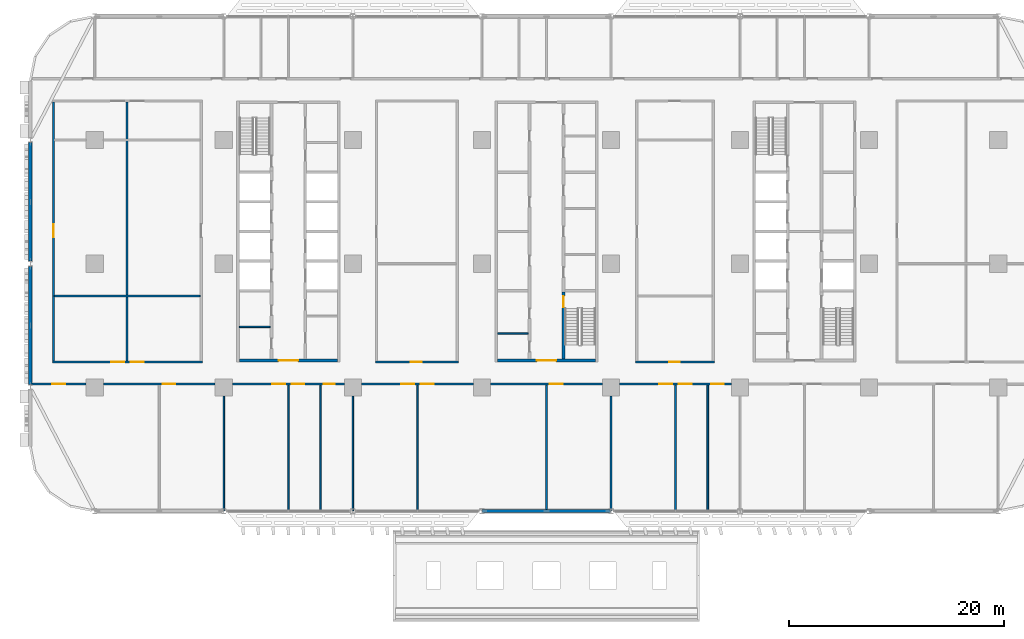
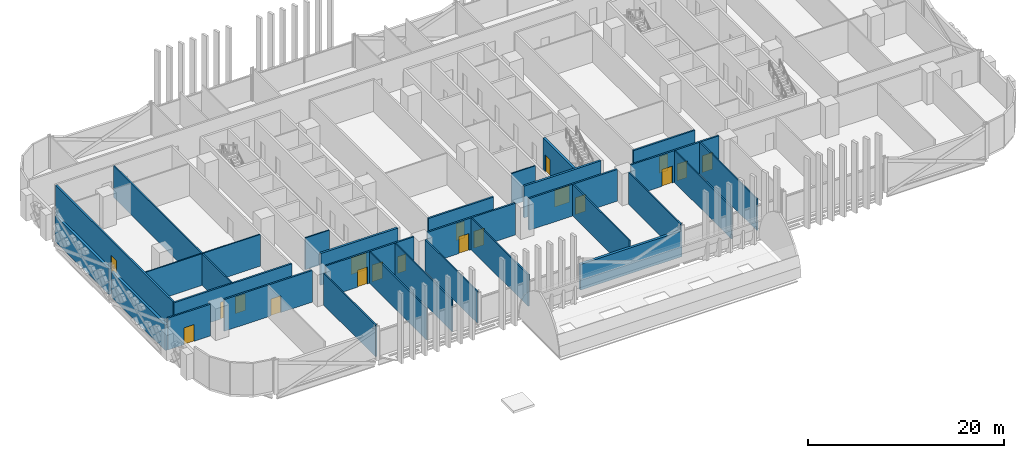
# One storey, part 10 of 31: 29 walls, 19 doors, 19 openings.
"""IFC4 building model written with IfcOpenShell, lengths in metres."""

from ifc_helpers import new_model, si_unit, direction, frame, frame_2d, origin, place, context, subcontext, project, spatial, rectangle, extrude, material, layer, layer_set, type_object, element, fill, save


model = new_model("IFC4")

# Units and contexts
model_context = context("Model", 3, precision=1e-05, world=origin(), true_north=direction((0.0, 1.0)))
body_context = subcontext(model_context, "Body", "Model", "MODEL_VIEW")
ifc_project = project(units=[si_unit("LENGTHUNIT", "METRE"), si_unit("AREAUNIT", "SQUARE_METRE"), si_unit("VOLUMEUNIT", "CUBIC_METRE"), si_unit("PLANEANGLEUNIT", "RADIAN"), si_unit("MASSUNIT", "GRAM", prefix="KILO")], contexts=[model_context])

# Site, building, storey
site_placement = place(None, origin())
site = spatial("IfcSite", under=ifc_project, at=site_placement, CompositionType="ELEMENT")
building_placement = place(site_placement, origin())
building = spatial("IfcBuilding", under=site, at=building_placement, Name="Mahtab Terrace Research Tower", CompositionType="ELEMENT")
storey_placement = place(building_placement, frame((0.0, 0.0, 11.5)))
storey = spatial("IfcBuildingStorey", under=building, at=storey_placement, Name="L02", CompositionType="ELEMENT", Elevation=11.5)

# Walls
ifc_material_1 = material(Name="Gypsum board partition")
ifc_layer_1 = layer(ifc_material_1, 0.14990234375)
ifc_layer_set_1 = layer_set([ifc_layer_1], Name="Core partition 150")
wall_type_1 = type_object("IfcWallType", Name="Core partition 150", PredefinedType="PARTITIONING", material=ifc_layer_set_1)
for number, where, z_axis, x_axis, name in (
    (1, (-28.550048828125, -5.875, 0.0), (0.0, 0.0, 1.0), (1.0, 0.0, 0.0), "Core wall A pWS-888"),
    (2, (-4.550048828125, -6.47509765625, 0.0), (0.0, 0.0, 1.0), (1.0, 0.0, 0.0), "Core wall B pWS-948"),
):
    element("IfcWall", number, at=place(storey_placement, frame(where, z_axis=z_axis, x_axis=x_axis)), inside=storey, type_object=wall_type_1, Name=name, PredefinedType="PARTITIONING", context=body_context, shape_type="SweptSolid", body=[
        extrude(rectangle(XDim=2.85009765625, YDim=0.14990234375, at=frame_2d((1.425048828125, 0.0))), origin(), (0.0, 0.0, 1.0), 3.9599609375),
    ])

# Wall, opening, door
ifc_material_2 = material(Name="Concrete C70/85", Category="concrete")
ifc_layer_2 = layer(ifc_material_2, 0.25)
ifc_layer_set_2 = layer_set([ifc_layer_2], Name="Core wall 250")
wall_type_2 = type_object("IfcWallType", Name="Core wall 250", PredefinedType="SOLIDWALL", material=ifc_layer_set_2)
wall_1_placement = place(storey_placement, frame((-19.449951171875, -9.0, 0.0), z_axis=(0.0, 0.0, 1.0), x_axis=(-1.0, 0.0, 0.0)))
wall_1 = element("IfcWall", 3, at=wall_1_placement, inside=storey, type_object=wall_type_2, Name="Core wall A endS", PredefinedType="SOLIDWALL", context=body_context, shape_type="SweptSolid", body=[
    extrude(rectangle(XDim=9.10009765625, YDim=0.25, at=frame_2d((4.550048828125, 0.0))), origin(), (0.0, 0.0, 1.0), 3.9599609375),
])
opening_1_placement = place(wall_1_placement, frame((3.64990234375, 0.0, 0.0)))
opening_1 = element("IfcOpeningElement", 4, at=opening_1_placement, cuts=wall_1, Name="Opening A-S1", PredefinedType="OPENING", context=body_context, shape_type="SweptSolid", body=[
    extrude(rectangle(XDim=1.800048828125, YDim=2.10009765625, at=frame_2d((0.89990234375, 1.050048828125))), frame((0.0, 0.135009765625, 0.0), z_axis=(0.0, -1.0, 0.0), x_axis=(1.0, 0.0, 0.0)), (0.0, 0.0, 1.0), 0.27001953125),
])
ifc_material_3 = material(Name="Steel fire door", Category="steel")
door_type_1 = type_object("IfcDoorType", Name="Lobby double door 1800x2100 1 HR", OperationType="DOUBLE_DOOR_SINGLE_SWING", PredefinedType="DOOR", material=ifc_material_3)
door_1_placement = place(opening_1_placement, origin())
door_1 = element("IfcDoor", 5, at=door_1_placement, inside=storey, type_object=door_type_1, Name="Core entrance door A S", OperationType="DOUBLE_DOOR_SINGLE_SWING", OverallHeight=2.10009765625, OverallWidth=1.800048828125, PredefinedType="DOOR", context=body_context, shape_type="SweptSolid", body=[
    extrude(rectangle(XDim=1.800048828125, YDim=2.10009765625, at=frame_2d((0.89990234375, 1.050048828125))), frame((0.0, 0.02490234375, 0.0), z_axis=(0.0, -1.0, 0.0), x_axis=(1.0, 0.0, 0.0)), (0.0, 0.0, 1.0), 0.050048828125),
])
fill(opening_1, door_1)

wall_2_placement = place(storey_placement, frame((4.550048828125, -9.0, 0.0), z_axis=(0.0, 0.0, 1.0), x_axis=(-1.0, 0.0, 0.0)))
wall_2 = element("IfcWall", 6, at=wall_2_placement, inside=storey, type_object=wall_type_2, Name="Core wall B endS", PredefinedType="SOLIDWALL", context=body_context, shape_type="SweptSolid", body=[
    extrude(rectangle(XDim=9.10009765625, YDim=0.25, at=frame_2d((4.550048828125, 0.0))), origin(), (0.0, 0.0, 1.0), 3.9599609375),
])
opening_2_placement = place(wall_2_placement, frame((3.64990234375, 0.0, 0.0)))
opening_2 = element("IfcOpeningElement", 7, at=opening_2_placement, cuts=wall_2, Name="Opening B-S1", PredefinedType="OPENING", context=body_context, shape_type="SweptSolid", body=[
    extrude(rectangle(XDim=1.800048828125, YDim=2.10009765625, at=frame_2d((0.89990234375, 1.050048828125))), frame((0.0, 0.135009765625, 0.0), z_axis=(0.0, -1.0, 0.0), x_axis=(1.0, 0.0, 0.0)), (0.0, 0.0, 1.0), 0.27001953125),
])
door_2_placement = place(opening_2_placement, origin())
door_2 = element("IfcDoor", 8, at=door_2_placement, inside=storey, type_object=door_type_1, Name="Core entrance door B S", OperationType="DOUBLE_DOOR_SINGLE_SWING", OverallHeight=2.10009765625, OverallWidth=1.800048828125, PredefinedType="DOOR", context=body_context, shape_type="SweptSolid", body=[
    extrude(rectangle(XDim=1.800048828125, YDim=2.10009765625, at=frame_2d((0.89990234375, 1.050048828125))), frame((0.0, 0.02490234375, 0.0), z_axis=(0.0, -1.0, 0.0), x_axis=(1.0, 0.0, 0.0)), (0.0, 0.0, 1.0), 0.050048828125),
])
fill(opening_2, door_2)

wall_3_placement = place(storey_placement, frame((1.574951171875, -8.875, 0.0), z_axis=(0.0, 0.0, 1.0), x_axis=(0.0, 1.0, 0.0)))
wall_3 = element("IfcWall", 9, at=wall_3_placement, inside=storey, type_object=wall_type_2, Name="Core wall B innerES", PredefinedType="SOLIDWALL", context=body_context, shape_type="SweptSolid", body=[
    extrude(rectangle(XDim=6.25, YDim=0.25, at=frame_2d((3.125, 0.0))), origin(), (0.0, 0.0, 1.0), 3.9599609375),
])
opening_3_placement = place(wall_3_placement, frame((4.85009765625, 0.0, 0.0)))
opening_3 = element("IfcOpeningElement", 10, at=opening_3_placement, cuts=wall_3, Name="Opening B-ST2", PredefinedType="OPENING", context=body_context, shape_type="SweptSolid", body=[
    extrude(rectangle(XDim=1.0, YDim=2.10009765625, at=frame_2d((0.5, 1.050048828125))), frame((0.0, 0.135009765625, 0.0), z_axis=(0.0, -1.0, 0.0), x_axis=(1.0, 0.0, 0.0)), (0.0, 0.0, 1.0), 0.27001953125),
])
door_type_2 = type_object("IfcDoorType", Name="Stair door 1000x2100 1.5 HR", OperationType="NOTDEFINED", PredefinedType="DOOR", material=ifc_material_3)
door_3_placement = place(opening_3_placement, origin())
door_3 = element("IfcDoor", 11, at=door_3_placement, inside=storey, type_object=door_type_2, Name="Stair door ST2 L02", OperationType="SINGLE_SWING_LEFT", OverallHeight=2.10009765625, OverallWidth=1.0, PredefinedType="DOOR", context=body_context, shape_type="SweptSolid", body=[
    extrude(rectangle(XDim=1.0, YDim=2.10009765625, at=frame_2d((0.5, 1.050048828125))), frame((0.0, 0.02490234375, 0.0), z_axis=(0.0, -1.0, 0.0), x_axis=(1.0, 0.0, 0.0)), (0.0, 0.0, 1.0), 0.050048828125),
])
fill(opening_3, door_3)

# Walls
ifc_material_4 = material(Name="Black aluminium cladding panel", Category="aluminium")
ifc_layer_3 = layer(ifc_material_4, 0.300048828125)
ifc_layer_set_3 = layer_set([ifc_layer_3], Name="Opaque facade wall 300")
wall_type_3 = type_object("IfcWallType", Name="Opaque facade wall 300", PredefinedType="NOTDEFINED", material=ifc_layer_set_3)
for number, where, z_axis, x_axis, name in (
    (12, (-48.0, 11.2509765625, 0.0), (0.0, 0.0, 1.0), (0.0, -1.0, 0.0), "Opaque facade wall L02 W15"),
    (13, (-48.0, -0.2490234375, 0.0), (0.0, 0.0, 1.0), (0.0, -1.0, 0.0), "Opaque facade wall L02 W16"),
):
    element("IfcWall", number, at=place(storey_placement, frame(where, z_axis=z_axis, x_axis=x_axis)), inside=storey, type_object=wall_type_3, Name=name, PredefinedType="NOTDEFINED", context=body_context, shape_type="SweptSolid", body=[
        extrude(rectangle(XDim=11.001953125, YDim=0.300048828125, at=frame_2d((5.5009765625, 0.0))), origin(), (0.0, 0.0, 1.0), 3.203125),
    ])
wall_4_placement = place(storey_placement, frame((-5.97216796875, -23.0, 0.0), z_axis=(0.0, 0.0, 1.0), x_axis=(1.0, 0.0, 0.0)))
element("IfcWall", 14, at=wall_4_placement, inside=storey, type_object=wall_type_3, Name="Opaque facade wall L02 S25", PredefinedType="NOTDEFINED", context=body_context, shape_type="SweptSolid", body=[
    extrude(rectangle(XDim=11.9443359375, YDim=0.300048828125, at=frame_2d((5.97216796875, 0.0))), origin(), (0.0, 0.0, 1.0), 3.203125),
])

# Wall, opening, door
ifc_material_5 = material(Name="Gypsum board corridor wall on steel studs", Category="steel")
ifc_layer_4 = layer(ifc_material_5, 0.199951171875)
ifc_layer_set_4 = layer_set([ifc_layer_4], Name="WALL CORRIDOR 200")
wall_type_4 = type_object("IfcWallType", Name="WALL CORRIDOR 200", PredefinedType="PARTITIONING", material=ifc_layer_set_4)
wall_5_placement = place(storey_placement, frame((-47.85009765625, -11.199951171875, 0.0), z_axis=(0.0, 0.0, 1.0), x_axis=(1.0, 0.0, 0.0)))
wall_5 = element("IfcWall", 15, at=wall_5_placement, inside=storey, type_object=wall_type_4, Name="L02-W001", PredefinedType="PARTITIONING", context=body_context, shape_type="SweptSolid", body=[
    extrude(rectangle(XDim=5.050048828125, YDim=0.199951171875, at=frame_2d((2.52490234375, 0.0))), origin(), (0.0, 0.0, 1.0), 3.9599609375),
])
opening_4_placement = place(wall_5_placement, frame((1.89990234375, 0.0, 0.0)))
opening_4 = element("IfcOpeningElement", 16, at=opening_4_placement, cuts=wall_5, Name="Opening L02-101", PredefinedType="OPENING", context=body_context, shape_type="SweptSolid", body=[
    extrude(rectangle(XDim=1.199951171875, YDim=2.10009765625, at=frame_2d((0.60009765625, 1.050048828125))), frame((0.0, 0.10986328125, 0.0), z_axis=(0.0, -1.0, 0.0), x_axis=(1.0, 0.0, 0.0)), (0.0, 0.0, 1.0), 0.219970703125),
])
ifc_material_6 = material(Name="Timber door leaf in steel frame", Category="steel")
door_type_3 = type_object("IfcDoorType", Name="DOOR 1200X2100 FD30S", OperationType="SINGLE_SWING_LEFT", PredefinedType="DOOR", material=ifc_material_6)
door_4_placement = place(opening_4_placement, origin())
door_4 = element("IfcDoor", 17, at=door_4_placement, inside=storey, type_object=door_type_3, Name="Door L02-101", OperationType="SINGLE_SWING_RIGHT", OverallHeight=2.10009765625, OverallWidth=1.199951171875, PredefinedType="DOOR", context=body_context, shape_type="SweptSolid", body=[
    extrude(rectangle(XDim=1.199951171875, YDim=2.10009765625, at=frame_2d((0.60009765625, 1.050048828125))), frame((0.0, 0.02490234375, 0.0), z_axis=(0.0, -1.0, 0.0), x_axis=(1.0, 0.0, 0.0)), (0.0, 0.0, 1.0), 0.050048828125),
])
fill(opening_4, door_4)

wall_6_placement = place(storey_placement, frame((-41.199951171875, -11.199951171875, 0.0), z_axis=(0.0, 0.0, 1.0), x_axis=(1.0, 0.0, 0.0)))
wall_6 = element("IfcWall", 18, at=wall_6_placement, inside=storey, type_object=wall_type_4, Name="L02-W002", PredefinedType="PARTITIONING", context=body_context, shape_type="SweptSolid", body=[
    extrude(rectangle(XDim=10.39990234375, YDim=0.199951171875, at=frame_2d((5.199951171875, 0.0))), origin(), (0.0, 0.0, 1.0), 3.9599609375),
])
opening_5_placement = place(wall_6_placement, frame((5.5, 0.0, 0.0)))
opening_5 = element("IfcOpeningElement", 19, at=opening_5_placement, cuts=wall_6, Name="Opening L02-102", PredefinedType="OPENING", context=body_context, shape_type="SweptSolid", body=[
    extrude(rectangle(XDim=1.199951171875, YDim=2.10009765625, at=frame_2d((0.60009765625, 1.050048828125))), frame((0.0, 0.10986328125, 0.0), z_axis=(0.0, -1.0, 0.0), x_axis=(1.0, 0.0, 0.0)), (0.0, 0.0, 1.0), 0.219970703125),
])
door_5_placement = place(opening_5_placement, origin())
door_5 = element("IfcDoor", 20, at=door_5_placement, inside=storey, type_object=door_type_3, Name="Door L02-102", OperationType="SINGLE_SWING_LEFT", OverallHeight=2.10009765625, OverallWidth=1.199951171875, PredefinedType="DOOR", context=body_context, shape_type="SweptSolid", body=[
    extrude(rectangle(XDim=1.199951171875, YDim=2.10009765625, at=frame_2d((0.60009765625, 1.050048828125))), frame((0.0, 0.02490234375, 0.0), z_axis=(0.0, -1.0, 0.0), x_axis=(1.0, 0.0, 0.0)), (0.0, 0.0, 1.0), 0.050048828125),
])
fill(opening_5, door_5)

# Wall, openings, doors
wall_7_placement = place(storey_placement, frame((-29.199951171875, -11.199951171875, 0.0), z_axis=(0.0, 0.0, 1.0), x_axis=(1.0, 0.0, 0.0)))
wall_7 = element("IfcWall", 21, at=wall_7_placement, inside=storey, type_object=wall_type_4, Name="L02-W003", PredefinedType="PARTITIONING", context=body_context, shape_type="SweptSolid", body=[
    extrude(rectangle(XDim=10.39990234375, YDim=0.199951171875, at=frame_2d((5.199951171875, 0.0))), origin(), (0.0, 0.0, 1.0), 3.9599609375),
])
opening_6_placement = place(wall_7_placement, frame((3.699951171875, 0.0, 0.0)))
opening_6 = element("IfcOpeningElement", 22, at=opening_6_placement, cuts=wall_7, Name="Opening L02-103", PredefinedType="OPENING", context=body_context, shape_type="SweptSolid", body=[
    extrude(rectangle(XDim=1.199951171875, YDim=2.10009765625, at=frame_2d((0.60009765625, 1.050048828125))), frame((0.0, 0.10986328125, 0.0), z_axis=(0.0, -1.0, 0.0), x_axis=(1.0, 0.0, 0.0)), (0.0, 0.0, 1.0), 0.219970703125),
])
opening_7_placement = place(wall_7_placement, frame((5.5, 0.0, 0.0)))
opening_7 = element("IfcOpeningElement", 23, at=opening_7_placement, cuts=wall_7, Name="Opening L02-104", PredefinedType="OPENING", context=body_context, shape_type="SweptSolid", body=[
    extrude(rectangle(XDim=1.199951171875, YDim=2.10009765625, at=frame_2d((0.60009765625, 1.050048828125))), frame((0.0, 0.10986328125, 0.0), z_axis=(0.0, -1.0, 0.0), x_axis=(1.0, 0.0, 0.0)), (0.0, 0.0, 1.0), 0.219970703125),
])
opening_8_placement = place(wall_7_placement, frame((8.5, 0.0, 0.0)))
opening_8 = element("IfcOpeningElement", 24, at=opening_8_placement, cuts=wall_7, Name="Opening L02-105", PredefinedType="OPENING", context=body_context, shape_type="SweptSolid", body=[
    extrude(rectangle(XDim=1.0, YDim=2.10009765625, at=frame_2d((0.5, 1.050048828125))), frame((0.0, 0.10986328125, 0.0), z_axis=(0.0, -1.0, 0.0), x_axis=(1.0, 0.0, 0.0)), (0.0, 0.0, 1.0), 0.219970703125),
])
door_type_4 = type_object("IfcDoorType", Name="DOOR 1000X2100 FD30S", OperationType="SINGLE_SWING_LEFT", PredefinedType="DOOR", material=ifc_material_6)
door_6_placement = place(opening_8_placement, origin())
door_6 = element("IfcDoor", 25, at=door_6_placement, inside=storey, type_object=door_type_4, Name="Door L02-105", OperationType="SINGLE_SWING_LEFT", OverallHeight=2.10009765625, OverallWidth=1.0, PredefinedType="DOOR", context=body_context, shape_type="SweptSolid", body=[
    extrude(rectangle(XDim=1.0, YDim=2.10009765625, at=frame_2d((0.5, 1.050048828125))), frame((0.0, 0.02490234375, 0.0), z_axis=(0.0, -1.0, 0.0), x_axis=(1.0, 0.0, 0.0)), (0.0, 0.0, 1.0), 0.050048828125),
])
fill(opening_8, door_6)
door_7_placement = place(opening_6_placement, origin())
door_7 = element("IfcDoor", 26, at=door_7_placement, inside=storey, type_object=door_type_3, Name="Door L02-103", OperationType="SINGLE_SWING_RIGHT", OverallHeight=2.10009765625, OverallWidth=1.199951171875, PredefinedType="DOOR", context=body_context, shape_type="SweptSolid", body=[
    extrude(rectangle(XDim=1.199951171875, YDim=2.10009765625, at=frame_2d((0.60009765625, 1.050048828125))), frame((0.0, 0.02490234375, 0.0), z_axis=(0.0, -1.0, 0.0), x_axis=(1.0, 0.0, 0.0)), (0.0, 0.0, 1.0), 0.050048828125),
])
fill(opening_6, door_7)
door_8_placement = place(opening_7_placement, origin())
door_8 = element("IfcDoor", 27, at=door_8_placement, inside=storey, type_object=door_type_3, Name="Door L02-104", OperationType="SINGLE_SWING_LEFT", OverallHeight=2.10009765625, OverallWidth=1.199951171875, PredefinedType="DOOR", context=body_context, shape_type="SweptSolid", body=[
    extrude(rectangle(XDim=1.199951171875, YDim=2.10009765625, at=frame_2d((0.60009765625, 1.050048828125))), frame((0.0, 0.02490234375, 0.0), z_axis=(0.0, -1.0, 0.0), x_axis=(1.0, 0.0, 0.0)), (0.0, 0.0, 1.0), 0.050048828125),
])
fill(opening_7, door_8)

wall_8_placement = place(storey_placement, frame((-17.199951171875, -11.199951171875, 0.0), z_axis=(0.0, 0.0, 1.0), x_axis=(1.0, 0.0, 0.0)))
wall_8 = element("IfcWall", 28, at=wall_8_placement, inside=storey, type_object=wall_type_4, Name="L02-W004", PredefinedType="PARTITIONING", context=body_context, shape_type="SweptSolid", body=[
    extrude(rectangle(XDim=10.39990234375, YDim=0.199951171875, at=frame_2d((5.199951171875, 0.0))), origin(), (0.0, 0.0, 1.0), 3.9599609375),
])
opening_9_placement = place(wall_8_placement, frame((3.699951171875, 0.0, 0.0)))
opening_9 = element("IfcOpeningElement", 29, at=opening_9_placement, cuts=wall_8, Name="Opening L02-106", PredefinedType="OPENING", context=body_context, shape_type="SweptSolid", body=[
    extrude(rectangle(XDim=1.199951171875, YDim=2.10009765625, at=frame_2d((0.60009765625, 1.050048828125))), frame((0.0, 0.10986328125, 0.0), z_axis=(0.0, -1.0, 0.0), x_axis=(1.0, 0.0, 0.0)), (0.0, 0.0, 1.0), 0.219970703125),
])
opening_10_placement = place(wall_8_placement, frame((5.5, 0.0, 0.0)))
opening_10 = element("IfcOpeningElement", 30, at=opening_10_placement, cuts=wall_8, Name="Opening L02-107", PredefinedType="OPENING", context=body_context, shape_type="SweptSolid", body=[
    extrude(rectangle(XDim=1.199951171875, YDim=2.10009765625, at=frame_2d((0.60009765625, 1.050048828125))), frame((0.0, 0.10986328125, 0.0), z_axis=(0.0, -1.0, 0.0), x_axis=(1.0, 0.0, 0.0)), (0.0, 0.0, 1.0), 0.219970703125),
])
door_9_placement = place(opening_9_placement, origin())
door_9 = element("IfcDoor", 31, at=door_9_placement, inside=storey, type_object=door_type_3, Name="Door L02-106", OperationType="SINGLE_SWING_RIGHT", OverallHeight=2.10009765625, OverallWidth=1.199951171875, PredefinedType="DOOR", context=body_context, shape_type="SweptSolid", body=[
    extrude(rectangle(XDim=1.199951171875, YDim=2.10009765625, at=frame_2d((0.60009765625, 1.050048828125))), frame((0.0, 0.02490234375, 0.0), z_axis=(0.0, -1.0, 0.0), x_axis=(1.0, 0.0, 0.0)), (0.0, 0.0, 1.0), 0.050048828125),
])
fill(opening_9, door_9)
door_10_placement = place(opening_10_placement, origin())
door_10 = element("IfcDoor", 32, at=door_10_placement, inside=storey, type_object=door_type_3, Name="Door L02-107", OperationType="SINGLE_SWING_LEFT", OverallHeight=2.10009765625, OverallWidth=1.199951171875, PredefinedType="DOOR", context=body_context, shape_type="SweptSolid", body=[
    extrude(rectangle(XDim=1.199951171875, YDim=2.10009765625, at=frame_2d((0.60009765625, 1.050048828125))), frame((0.0, 0.02490234375, 0.0), z_axis=(0.0, -1.0, 0.0), x_axis=(1.0, 0.0, 0.0)), (0.0, 0.0, 1.0), 0.050048828125),
])
fill(opening_10, door_10)

# Wall, opening, door
wall_9_placement = place(storey_placement, frame((-5.199951171875, -11.199951171875, 0.0), z_axis=(0.0, 0.0, 1.0), x_axis=(1.0, 0.0, 0.0)))
wall_9 = element("IfcWall", 33, at=wall_9_placement, inside=storey, type_object=wall_type_4, Name="L02-W005", PredefinedType="PARTITIONING", context=body_context, shape_type="SweptSolid", body=[
    extrude(rectangle(XDim=10.39990234375, YDim=0.199951171875, at=frame_2d((5.199951171875, 0.0))), origin(), (0.0, 0.0, 1.0), 3.9599609375),
])
opening_11_placement = place(wall_9_placement, frame((5.5, 0.0, 0.0)))
opening_11 = element("IfcOpeningElement", 34, at=opening_11_placement, cuts=wall_9, Name="Opening L02-108", PredefinedType="OPENING", context=body_context, shape_type="SweptSolid", body=[
    extrude(rectangle(XDim=1.199951171875, YDim=2.10009765625, at=frame_2d((0.60009765625, 1.050048828125))), frame((0.0, 0.10986328125, 0.0), z_axis=(0.0, -1.0, 0.0), x_axis=(1.0, 0.0, 0.0)), (0.0, 0.0, 1.0), 0.219970703125),
])
door_11_placement = place(opening_11_placement, origin())
door_11 = element("IfcDoor", 35, at=door_11_placement, inside=storey, type_object=door_type_3, Name="Door L02-108", OperationType="SINGLE_SWING_LEFT", OverallHeight=2.10009765625, OverallWidth=1.199951171875, PredefinedType="DOOR", context=body_context, shape_type="SweptSolid", body=[
    extrude(rectangle(XDim=1.199951171875, YDim=2.10009765625, at=frame_2d((0.60009765625, 1.050048828125))), frame((0.0, 0.02490234375, 0.0), z_axis=(0.0, -1.0, 0.0), x_axis=(1.0, 0.0, 0.0)), (0.0, 0.0, 1.0), 0.050048828125),
])
fill(opening_11, door_11)

# Wall, openings, doors
wall_10_placement = place(storey_placement, frame((6.800048828125, -11.199951171875, 0.0), z_axis=(0.0, 0.0, 1.0), x_axis=(1.0, 0.0, 0.0)))
wall_10 = element("IfcWall", 36, at=wall_10_placement, inside=storey, type_object=wall_type_4, Name="L02-W006", PredefinedType="PARTITIONING", context=body_context, shape_type="SweptSolid", body=[
    extrude(rectangle(XDim=10.39990234375, YDim=0.199951171875, at=frame_2d((5.199951171875, 0.0))), origin(), (0.0, 0.0, 1.0), 3.9599609375),
])
opening_12_placement = place(wall_10_placement, frame((3.699951171875, 0.0, 0.0)))
opening_12 = element("IfcOpeningElement", 37, at=opening_12_placement, cuts=wall_10, Name="Opening L02-109", PredefinedType="OPENING", context=body_context, shape_type="SweptSolid", body=[
    extrude(rectangle(XDim=1.199951171875, YDim=2.10009765625, at=frame_2d((0.60009765625, 1.050048828125))), frame((0.0, 0.10986328125, 0.0), z_axis=(0.0, -1.0, 0.0), x_axis=(1.0, 0.0, 0.0)), (0.0, 0.0, 1.0), 0.219970703125),
])
opening_13_placement = place(wall_10_placement, frame((5.5, 0.0, 0.0)))
opening_13 = element("IfcOpeningElement", 38, at=opening_13_placement, cuts=wall_10, Name="Opening L02-110", PredefinedType="OPENING", context=body_context, shape_type="SweptSolid", body=[
    extrude(rectangle(XDim=1.199951171875, YDim=2.10009765625, at=frame_2d((0.60009765625, 1.050048828125))), frame((0.0, 0.10986328125, 0.0), z_axis=(0.0, -1.0, 0.0), x_axis=(1.0, 0.0, 0.0)), (0.0, 0.0, 1.0), 0.219970703125),
])
opening_14_placement = place(wall_10_placement, frame((8.5, 0.0, 0.0)))
opening_14 = element("IfcOpeningElement", 39, at=opening_14_placement, cuts=wall_10, Name="Opening L02-111", PredefinedType="OPENING", context=body_context, shape_type="SweptSolid", body=[
    extrude(rectangle(XDim=1.199951171875, YDim=2.10009765625, at=frame_2d((0.60009765625, 1.050048828125))), frame((0.0, 0.10986328125, 0.0), z_axis=(0.0, -1.0, 0.0), x_axis=(1.0, 0.0, 0.0)), (0.0, 0.0, 1.0), 0.219970703125),
])
door_12_placement = place(opening_12_placement, origin())
door_12 = element("IfcDoor", 40, at=door_12_placement, inside=storey, type_object=door_type_3, Name="Door L02-109", OperationType="SINGLE_SWING_RIGHT", OverallHeight=2.10009765625, OverallWidth=1.199951171875, PredefinedType="DOOR", context=body_context, shape_type="SweptSolid", body=[
    extrude(rectangle(XDim=1.199951171875, YDim=2.10009765625, at=frame_2d((0.60009765625, 1.050048828125))), frame((0.0, 0.02490234375, 0.0), z_axis=(0.0, -1.0, 0.0), x_axis=(1.0, 0.0, 0.0)), (0.0, 0.0, 1.0), 0.050048828125),
])
fill(opening_12, door_12)
door_13_placement = place(opening_13_placement, origin())
door_13 = element("IfcDoor", 41, at=door_13_placement, inside=storey, type_object=door_type_3, Name="Door L02-110", OperationType="SINGLE_SWING_LEFT", OverallHeight=2.10009765625, OverallWidth=1.199951171875, PredefinedType="DOOR", context=body_context, shape_type="SweptSolid", body=[
    extrude(rectangle(XDim=1.199951171875, YDim=2.10009765625, at=frame_2d((0.60009765625, 1.050048828125))), frame((0.0, 0.02490234375, 0.0), z_axis=(0.0, -1.0, 0.0), x_axis=(1.0, 0.0, 0.0)), (0.0, 0.0, 1.0), 0.050048828125),
])
fill(opening_13, door_13)
door_14_placement = place(opening_14_placement, origin())
door_14 = element("IfcDoor", 42, at=door_14_placement, inside=storey, type_object=door_type_3, Name="Door L02-111", OperationType="SINGLE_SWING_LEFT", OverallHeight=2.10009765625, OverallWidth=1.199951171875, PredefinedType="DOOR", context=body_context, shape_type="SweptSolid", body=[
    extrude(rectangle(XDim=1.199951171875, YDim=2.10009765625, at=frame_2d((0.60009765625, 1.050048828125))), frame((0.0, 0.02490234375, 0.0), z_axis=(0.0, -1.0, 0.0), x_axis=(1.0, 0.0, 0.0)), (0.0, 0.0, 1.0), 0.050048828125),
])
fill(opening_14, door_14)

wall_11_placement = place(storey_placement, frame((-45.949951171875, -9.125, 0.0), z_axis=(0.0, 0.0, 1.0), x_axis=(1.0, 0.0, 0.0)))
wall_11 = element("IfcWall", 43, at=wall_11_placement, inside=storey, type_object=wall_type_4, Name="L02-W010", PredefinedType="PARTITIONING", context=body_context, shape_type="SweptSolid", body=[
    extrude(rectangle(XDim=13.949951171875, YDim=0.199951171875, at=frame_2d((6.97509765625, 0.0))), origin(), (0.0, 0.0, 1.0), 3.9599609375),
])
opening_15_placement = place(wall_11_placement, frame((5.5, 0.0, 0.0)))
opening_15 = element("IfcOpeningElement", 44, at=opening_15_placement, cuts=wall_11, Name="Opening L02-116", PredefinedType="OPENING", context=body_context, shape_type="SweptSolid", body=[
    extrude(rectangle(XDim=1.199951171875, YDim=2.10009765625, at=frame_2d((0.60009765625, 1.050048828125))), frame((0.0, 0.10986328125, 0.0), z_axis=(0.0, -1.0, 0.0), x_axis=(1.0, 0.0, 0.0)), (0.0, 0.0, 1.0), 0.219970703125),
])
opening_16_placement = place(wall_11_placement, frame((7.300048828125, 0.0, 0.0)))
opening_16 = element("IfcOpeningElement", 45, at=opening_16_placement, cuts=wall_11, Name="Opening L02-117", PredefinedType="OPENING", context=body_context, shape_type="SweptSolid", body=[
    extrude(rectangle(XDim=1.199951171875, YDim=2.10009765625, at=frame_2d((0.60009765625, 1.050048828125))), frame((0.0, 0.10986328125, 0.0), z_axis=(0.0, -1.0, 0.0), x_axis=(1.0, 0.0, 0.0)), (0.0, 0.0, 1.0), 0.219970703125),
])
door_15_placement = place(opening_15_placement, origin())
door_15 = element("IfcDoor", 46, at=door_15_placement, inside=storey, type_object=door_type_3, Name="Door L02-116", OperationType="SINGLE_SWING_LEFT", OverallHeight=2.10009765625, OverallWidth=1.199951171875, PredefinedType="DOOR", context=body_context, shape_type="SweptSolid", body=[
    extrude(rectangle(XDim=1.199951171875, YDim=2.10009765625, at=frame_2d((0.60009765625, 1.050048828125))), frame((0.0, 0.02490234375, 0.0), z_axis=(0.0, -1.0, 0.0), x_axis=(1.0, 0.0, 0.0)), (0.0, 0.0, 1.0), 0.050048828125),
])
fill(opening_15, door_15)
door_16_placement = place(opening_16_placement, origin())
door_16 = element("IfcDoor", 47, at=door_16_placement, inside=storey, type_object=door_type_3, Name="Door L02-117", OperationType="SINGLE_SWING_RIGHT", OverallHeight=2.10009765625, OverallWidth=1.199951171875, PredefinedType="DOOR", context=body_context, shape_type="SweptSolid", body=[
    extrude(rectangle(XDim=1.199951171875, YDim=2.10009765625, at=frame_2d((0.60009765625, 1.050048828125))), frame((0.0, 0.02490234375, 0.0), z_axis=(0.0, -1.0, 0.0), x_axis=(1.0, 0.0, 0.0)), (0.0, 0.0, 1.0), 0.050048828125),
])
fill(opening_16, door_16)

# Wall, opening, door
wall_12_placement = place(storey_placement, frame((-15.89990234375, -9.125, 0.0), z_axis=(0.0, 0.0, 1.0), x_axis=(1.0, 0.0, 0.0)))
wall_12 = element("IfcWall", 48, at=wall_12_placement, inside=storey, type_object=wall_type_4, Name="L02-W011", PredefinedType="PARTITIONING", context=body_context, shape_type="SweptSolid", body=[
    extrude(rectangle(XDim=7.699951171875, YDim=0.199951171875, at=frame_2d((3.85009765625, 0.0))), origin(), (0.0, 0.0, 1.0), 3.9599609375),
])
opening_17_placement = place(wall_12_placement, frame((3.300048828125, 0.0, 0.0)))
opening_17 = element("IfcOpeningElement", 49, at=opening_17_placement, cuts=wall_12, Name="Opening L02-119", PredefinedType="OPENING", context=body_context, shape_type="SweptSolid", body=[
    extrude(rectangle(XDim=1.0, YDim=2.10009765625, at=frame_2d((0.5, 1.050048828125))), frame((0.0, 0.10986328125, 0.0), z_axis=(0.0, -1.0, 0.0), x_axis=(1.0, 0.0, 0.0)), (0.0, 0.0, 1.0), 0.219970703125),
])
door_17_placement = place(opening_17_placement, origin())
door_17 = element("IfcDoor", 50, at=door_17_placement, inside=storey, type_object=door_type_4, Name="Door L02-119", OperationType="SINGLE_SWING_LEFT", OverallHeight=2.10009765625, OverallWidth=1.0, PredefinedType="DOOR", context=body_context, shape_type="SweptSolid", body=[
    extrude(rectangle(XDim=1.0, YDim=2.10009765625, at=frame_2d((0.5, 1.050048828125))), frame((0.0, 0.02490234375, 0.0), z_axis=(0.0, -1.0, 0.0), x_axis=(1.0, 0.0, 0.0)), (0.0, 0.0, 1.0), 0.050048828125),
])
fill(opening_17, door_17)

wall_13_placement = place(storey_placement, frame((8.300048828125, -9.125, 0.0), z_axis=(0.0, 0.0, 1.0), x_axis=(1.0, 0.0, 0.0)))
wall_13 = element("IfcWall", 51, at=wall_13_placement, inside=storey, type_object=wall_type_4, Name="L02-W012", PredefinedType="PARTITIONING", context=body_context, shape_type="SweptSolid", body=[
    extrude(rectangle(XDim=7.300048828125, YDim=0.199951171875, at=frame_2d((3.64990234375, 0.0))), origin(), (0.0, 0.0, 1.0), 3.9599609375),
])
opening_18_placement = place(wall_13_placement, frame((3.10009765625, 0.0, 0.0)))
opening_18 = element("IfcOpeningElement", 52, at=opening_18_placement, cuts=wall_13, Name="Opening L02-118", PredefinedType="OPENING", context=body_context, shape_type="SweptSolid", body=[
    extrude(rectangle(XDim=1.0, YDim=2.10009765625, at=frame_2d((0.5, 1.050048828125))), frame((0.0, 0.10986328125, 0.0), z_axis=(0.0, -1.0, 0.0), x_axis=(1.0, 0.0, 0.0)), (0.0, 0.0, 1.0), 0.219970703125),
])
door_18_placement = place(opening_18_placement, origin())
door_18 = element("IfcDoor", 53, at=door_18_placement, inside=storey, type_object=door_type_4, Name="Door L02-118", OperationType="SINGLE_SWING_LEFT", OverallHeight=2.10009765625, OverallWidth=1.0, PredefinedType="DOOR", context=body_context, shape_type="SweptSolid", body=[
    extrude(rectangle(XDim=1.0, YDim=2.10009765625, at=frame_2d((0.5, 1.050048828125))), frame((0.0, 0.02490234375, 0.0), z_axis=(0.0, -1.0, 0.0), x_axis=(1.0, 0.0, 0.0)), (0.0, 0.0, 1.0), 0.050048828125),
])
fill(opening_18, door_18)

wall_14_placement = place(storey_placement, frame((-45.85009765625, -9.02490234375, 0.0), z_axis=(0.0, 0.0, 1.0), x_axis=(0.0, 1.0, 0.0)))
wall_14 = element("IfcWall", 54, at=wall_14_placement, inside=storey, type_object=wall_type_4, Name="L02-W027", PredefinedType="PARTITIONING", context=body_context, shape_type="SweptSolid", body=[
    extrude(rectangle(XDim=24.0498046875, YDim=0.199951171875, at=frame_2d((12.02490234375, 0.0))), origin(), (0.0, 0.0, 1.0), 3.9599609375),
])
opening_19_placement = place(wall_14_placement, frame((11.5, 0.0, 0.0)))
opening_19 = element("IfcOpeningElement", 55, at=opening_19_placement, cuts=wall_14, Name="Opening L02-122", PredefinedType="OPENING", context=body_context, shape_type="SweptSolid", body=[
    extrude(rectangle(XDim=1.199951171875, YDim=2.10009765625, at=frame_2d((0.60009765625, 1.050048828125))), frame((0.0, 0.10986328125, 0.0), z_axis=(0.0, -1.0, 0.0), x_axis=(1.0, 0.0, 0.0)), (0.0, 0.0, 1.0), 0.219970703125),
])
door_19_placement = place(opening_19_placement, origin())
door_19 = element("IfcDoor", 56, at=door_19_placement, inside=storey, type_object=door_type_3, Name="Door L02-122", OperationType="SINGLE_SWING_LEFT", OverallHeight=2.10009765625, OverallWidth=1.199951171875, PredefinedType="DOOR", context=body_context, shape_type="SweptSolid", body=[
    extrude(rectangle(XDim=1.199951171875, YDim=2.10009765625, at=frame_2d((0.60009765625, 1.050048828125))), frame((0.0, 0.02490234375, 0.0), z_axis=(0.0, -1.0, 0.0), x_axis=(1.0, 0.0, 0.0)), (0.0, 0.0, 1.0), 0.050048828125),
])
fill(opening_19, door_19)

# Walls
ifc_material_7 = material(Name="Gypsum board partition on steel studs", Category="steel")
ifc_layer_5 = layer(ifc_material_7, 0.14990234375)
ifc_layer_set_5 = layer_set([ifc_layer_5], Name="WALL PARTITION 150")
wall_type_5 = type_object("IfcWallType", Name="WALL PARTITION 150", PredefinedType="PARTITIONING", material=ifc_layer_set_5)
wall_15_placement = place(storey_placement, frame((-45.75, -3.0, 0.0), z_axis=(0.0, 0.0, 1.0), x_axis=(1.0, 0.0, 0.0)))
element("IfcWall", 57, at=wall_15_placement, inside=storey, type_object=wall_type_5, Name="L02-W014", PredefinedType="PARTITIONING", context=body_context, shape_type="SweptSolid", body=[
    extrude(rectangle(XDim=13.550048828125, YDim=0.14990234375, at=frame_2d((6.77490234375, 0.0))), origin(), (0.0, 0.0, 1.0), 3.9599609375),
])
wall_16_placement = place(storey_placement, frame((-39.0, -9.02490234375, 0.0), z_axis=(0.0, 0.0, 1.0), x_axis=(0.0, 1.0, 0.0)))
element("IfcWall", 58, at=wall_16_placement, inside=storey, type_object=wall_type_5, Name="L02-W029", PredefinedType="PARTITIONING", context=body_context, shape_type="SweptSolid", body=[
    extrude(rectangle(XDim=24.0498046875, YDim=0.14990234375, at=frame_2d((12.02490234375, 0.0))), origin(), (0.0, 0.0, 1.0), 3.9599609375),
])
wall_17_placement = place(storey_placement, frame((-30.0, -22.97509765625, 0.0), z_axis=(0.0, 0.0, 1.0), x_axis=(0.0, 1.0, 0.0)))
element("IfcWall", 59, at=wall_17_placement, inside=storey, type_object=wall_type_5, Name="L02-W032", PredefinedType="PARTITIONING", context=body_context, shape_type="SweptSolid", body=[
    extrude(rectangle(XDim=10.675048828125, YDim=0.14990234375, at=frame_2d((5.33740234375, 0.0))), origin(), (0.0, 0.0, 1.0), 3.9599609375),
])
for number, where, z_axis, x_axis, name in (
    (60, (-24.0, -22.97509765625, 0.0), (0.0, 0.0, 1.0), (0.0, 1.0, 0.0), "L02-W035"),
    (61, (-21.0, -22.97509765625, 0.0), (0.0, 0.0, 1.0), (0.0, 1.0, 0.0), "L02-W037"),
):
    element("IfcWall", number, at=place(storey_placement, frame(where, z_axis=z_axis, x_axis=x_axis)), inside=storey, type_object=wall_type_5, Name=name, PredefinedType="PARTITIONING", context=body_context, shape_type="SweptSolid", body=[
        extrude(rectangle(XDim=11.675048828125, YDim=0.14990234375, at=frame_2d((5.83740234375, 0.0))), origin(), (0.0, 0.0, 1.0), 3.9599609375),
    ])
wall_18_placement = place(storey_placement, frame((-18.0, -22.97509765625, 0.0), z_axis=(0.0, 0.0, 1.0), x_axis=(0.0, 1.0, 0.0)))
element("IfcWall", 62, at=wall_18_placement, inside=storey, type_object=wall_type_5, Name="L02-W038", PredefinedType="PARTITIONING", context=body_context, shape_type="SweptSolid", body=[
    extrude(rectangle(XDim=10.675048828125, YDim=0.14990234375, at=frame_2d((5.33740234375, 0.0))), origin(), (0.0, 0.0, 1.0), 3.9599609375),
])
wall_19_placement = place(storey_placement, frame((-12.0, -22.97509765625, 0.0), z_axis=(0.0, 0.0, 1.0), x_axis=(0.0, 1.0, 0.0)))
element("IfcWall", 63, at=wall_19_placement, inside=storey, type_object=wall_type_5, Name="L02-W041", PredefinedType="PARTITIONING", context=body_context, shape_type="SweptSolid", body=[
    extrude(rectangle(XDim=11.675048828125, YDim=0.14990234375, at=frame_2d((5.83740234375, 0.0))), origin(), (0.0, 0.0, 1.0), 3.9599609375),
])
wall_20_placement = place(storey_placement, frame((0.0, -22.85009765625, 0.0), z_axis=(0.0, 0.0, 1.0), x_axis=(0.0, 1.0, 0.0)))
element("IfcWall", 64, at=wall_20_placement, inside=storey, type_object=wall_type_5, Name="L02-W045", PredefinedType="PARTITIONING", context=body_context, shape_type="SweptSolid", body=[
    extrude(rectangle(XDim=11.550048828125, YDim=0.14990234375, at=frame_2d((5.77490234375, 0.0))), origin(), (0.0, 0.0, 1.0), 3.9599609375),
])
wall_21_placement = place(storey_placement, frame((6.0, -22.97509765625, 0.0), z_axis=(0.0, 0.0, 1.0), x_axis=(0.0, 1.0, 0.0)))
element("IfcWall", 65, at=wall_21_placement, inside=storey, type_object=wall_type_5, Name="L02-W047", PredefinedType="PARTITIONING", context=body_context, shape_type="SweptSolid", body=[
    extrude(rectangle(XDim=10.675048828125, YDim=0.14990234375, at=frame_2d((5.33740234375, 0.0))), origin(), (0.0, 0.0, 1.0), 3.9599609375),
])
for number, where, z_axis, x_axis, name in (
    (66, (12.0, -22.97509765625, 0.0), (0.0, 0.0, 1.0), (0.0, 1.0, 0.0), "L02-W050"),
    (67, (15.0, -22.97509765625, 0.0), (0.0, 0.0, 1.0), (0.0, 1.0, 0.0), "L02-W051"),
):
    element("IfcWall", number, at=place(storey_placement, frame(where, z_axis=z_axis, x_axis=x_axis)), inside=storey, type_object=wall_type_5, Name=name, PredefinedType="PARTITIONING", context=body_context, shape_type="SweptSolid", body=[
        extrude(rectangle(XDim=11.675048828125, YDim=0.14990234375, at=frame_2d((5.83740234375, 0.0))), origin(), (0.0, 0.0, 1.0), 3.9599609375),
    ])

save(model, "model.ifc")
